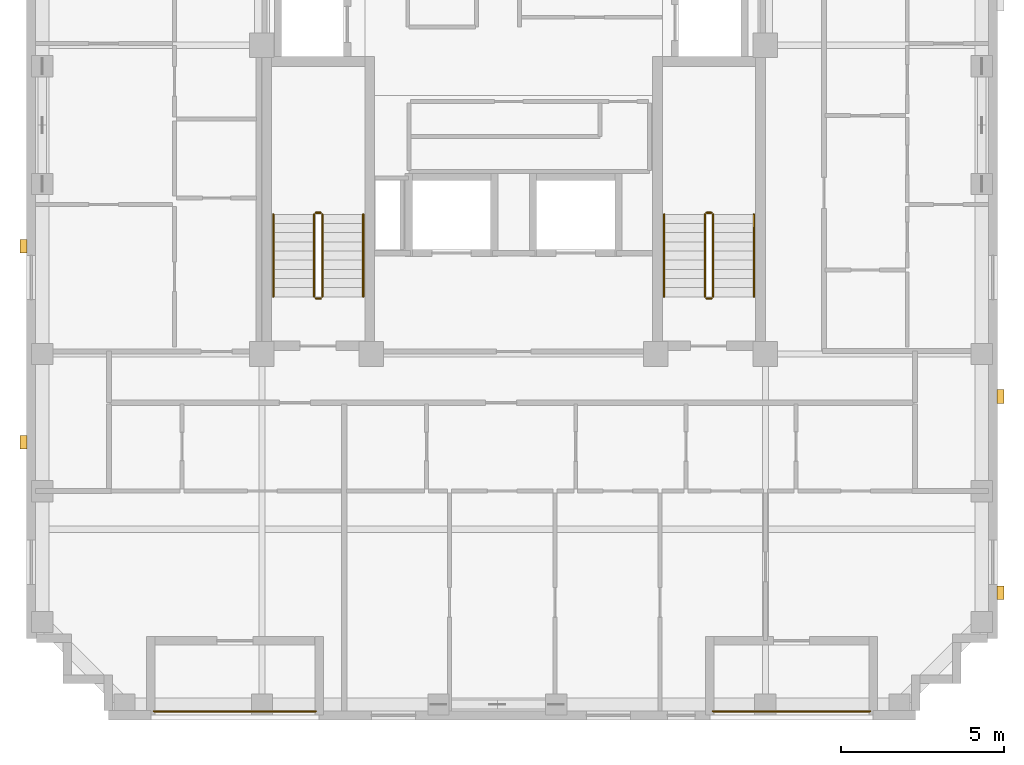
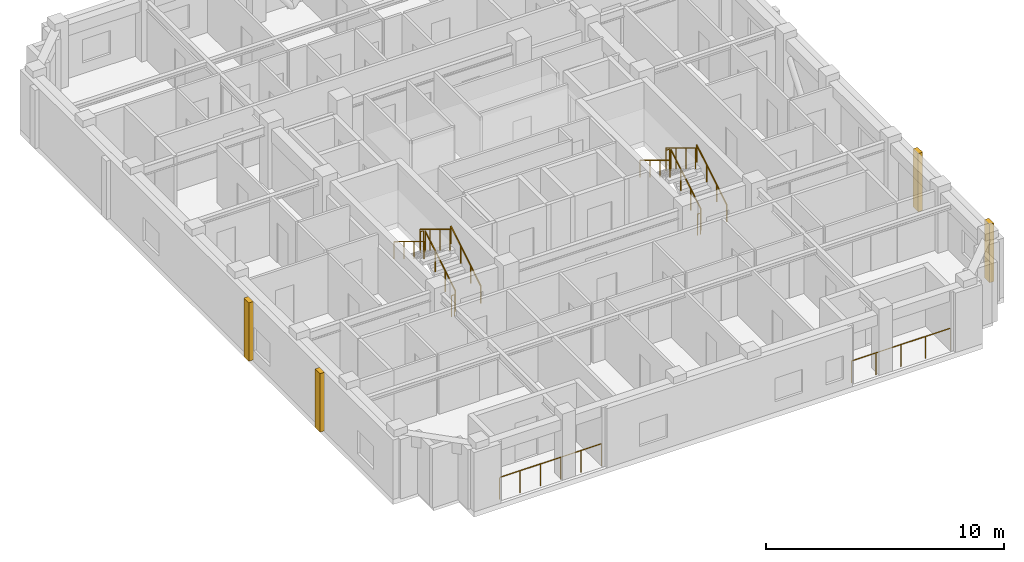
# One storey, part 10 of 11: 14 railings, 4 coverings.
"""IFC4 building model written with IfcOpenShell, lengths in metres."""

from ifc_helpers import new_model, si_unit, derived_unit, direction, frame, origin, origin_2d, place, context, subcontext, project, spatial, rectangle, circle, extrude, material, layer, layer_set, type_object, element, save


model = new_model("IFC4")

# Units and contexts
model_context = context("Model", 3, precision=1e-05, world=origin(), true_north=direction((0.0, 1.0)))
body_context = subcontext(model_context, "Body", "Model", "MODEL_VIEW")
ifc_project = project(units=[si_unit("LENGTHUNIT", "METRE"), si_unit("AREAUNIT", "SQUARE_METRE"), si_unit("VOLUMEUNIT", "CUBIC_METRE"), si_unit("PLANEANGLEUNIT", "RADIAN"), si_unit("MASSUNIT", "GRAM", prefix="KILO"), derived_unit("THERMALTRANSMITTANCEUNIT", [(si_unit("MASSUNIT", "GRAM", prefix="KILO"), 1), (si_unit("TIMEUNIT", "SECOND"), -3), (si_unit("THERMODYNAMICTEMPERATUREUNIT", "KELVIN"), -1)])], contexts=[model_context])

# Site, building, storey
site_placement = place(None, origin())
site = spatial("IfcSite", under=ifc_project, at=site_placement, CompositionType="ELEMENT")
building_placement = place(site_placement, origin())
building = spatial("IfcBuilding", under=site, at=building_placement, Name="Korrvale Station Residences", CompositionType="ELEMENT")
storey_placement = place(building_placement, frame((0.0, 0.0, 258.10009765625)))
storey = spatial("IfcBuildingStorey", under=building, at=storey_placement, Name="L75", CompositionType="ELEMENT", Elevation=258.10009765625)

# Coverings
ifc_material_1 = material(Name="Architectural precast concrete C45/55", Category="concrete")
ifc_layer = layer(ifc_material_1, 0.219970703125, Name="Architectural precast concrete C45/55")
ifc_layer_set = layer_set([ifc_layer], Name="Architectural precast concrete C45/55")
covering_type = type_object("IfcCoveringType", Name="COV-PIER-400", PredefinedType="CLADDING", material=ifc_layer_set)
for number, where, z_axis, x_axis, name in (
    (1, (10.510009765625, 12.300048828125, 0.02490234375), (0.0, 0.0, 1.0), (0.0, 1.0, 0.0), "L75 Architectural Precast Facade Pier 02"),
    (2, (10.510009765625, 18.300048828125, 0.02490234375), (0.0, 0.0, 1.0), (0.0, 1.0, 0.0), "L75 Architectural Precast Facade Pier 03"),
    (3, (40.389892578125, 13.699951171875, 0.02490234375), (0.0, 0.0, 1.0), (0.0, 1.0, 0.0), "L75 Architectural Precast Facade Pier 08"),
    (4, (40.389892578125, 7.699951171875, 0.02490234375), (0.0, 0.0, 1.0), (0.0, 1.0, 0.0), "L75 Architectural Precast Facade Pier 09"),
):
    element("IfcCovering", number, at=place(storey_placement, frame(where, z_axis=z_axis, x_axis=x_axis)), inside=storey, type_object=covering_type, Name=name, PredefinedType="CLADDING", context=body_context, shape_type="SweptSolid", body=[
        extrude(rectangle(XDim=0.419921875, YDim=0.219970703125, at=origin_2d()), origin(), (0.0, 0.0, 1.0), 3.0),
    ])

# Railings
ifc_material_2 = material(Name="Powder-coated aluminium picket loggia guard", Category="aluminium")
railing_type_1 = type_object("IfcRailingType", Name="RLG-BAL-1150", PredefinedType="GUARDRAIL", material=ifc_material_2)
railing_1_placement = place(storey_placement, frame((31.60009765625, 4.070068359375, 0.0)))
element("IfcRailing", 5, at=railing_1_placement, inside=storey, type_object=railing_type_1, Name="L75 Recessed Loggia Guardrail BAL-L75-S2", PredefinedType="GUARDRAIL", context=body_context, shape_type="SweptSolid", body=[
    extrude(circle(Radius=0.02392578125, at=origin_2d()), frame((0.0, 0.0, 1.1259765625), z_axis=(1.0, 0.0, 0.0), x_axis=(0.0, 1.0, 0.0)), (0.0, 0.0, 1.0), 4.7998046875),
    extrude(circle(Radius=0.02099609375, at=origin_2d()), origin(), (0.0, 0.0, 1.0), 1.101806640625),
    extrude(circle(Radius=0.02099609375, at=origin_2d()), frame((1.199951171875, 0.0, 0.0)), (0.0, 0.0, 1.0), 1.101806640625),
    extrude(circle(Radius=0.02099609375, at=origin_2d()), frame((2.39990234375, 0.0, 0.0)), (0.0, 0.0, 1.0), 1.101806640625),
    extrude(circle(Radius=0.02099609375, at=origin_2d()), frame((3.599853515625, 0.0, 0.0)), (0.0, 0.0, 1.0), 1.101806640625),
    extrude(circle(Radius=0.02099609375, at=origin_2d()), frame((4.7998046875, 0.0, 0.0)), (0.0, 0.0, 1.0), 1.101806640625),
])
railing_2_placement = place(storey_placement, frame((14.5, 4.070068359375, 0.0)))
element("IfcRailing", 6, at=railing_2_placement, inside=storey, type_object=railing_type_1, Name="L75 Recessed Loggia Guardrail BAL-L75-S1", PredefinedType="GUARDRAIL", context=body_context, shape_type="SweptSolid", body=[
    extrude(circle(Radius=0.02392578125, at=origin_2d()), frame((0.0, 0.0, 1.1259765625), z_axis=(1.0, 0.0, 0.0), x_axis=(0.0, 1.0, 0.0)), (0.0, 0.0, 1.0), 4.949951171875),
    extrude(circle(Radius=0.02099609375, at=origin_2d()), origin(), (0.0, 0.0, 1.0), 1.101806640625),
    extrude(circle(Radius=0.02099609375, at=origin_2d()), frame((0.989990234375, 0.0, 0.0)), (0.0, 0.0, 1.0), 1.101806640625),
    extrude(circle(Radius=0.02099609375, at=origin_2d()), frame((1.97998046875, 0.0, 0.0)), (0.0, 0.0, 1.0), 1.101806640625),
    extrude(circle(Radius=0.02099609375, at=origin_2d()), frame((2.969970703125, 0.0, 0.0)), (0.0, 0.0, 1.0), 1.101806640625),
    extrude(circle(Radius=0.02099609375, at=origin_2d()), frame((3.9599609375, 0.0, 0.0)), (0.0, 0.0, 1.0), 1.101806640625),
    extrude(circle(Radius=0.02099609375, at=origin_2d()), frame((4.949951171875, 0.0, 0.0)), (0.0, 0.0, 1.0), 1.101806640625),
])
ifc_material_3 = material(Name="Brushed stainless-steel continuous stair handrail", Category="steel")
railing_type_2 = type_object("IfcRailingType", Name="RLG-SHND-900", PredefinedType="HANDRAIL", material=ifc_material_3)
railing_3_placement = place(storey_placement, frame((20.89990234375, 16.75, 0.169921875)))
element("IfcRailing", 7, at=railing_3_placement, inside=storey, type_object=railing_type_2, Name="L75 ST-1 stair handrail 1", PredefinedType="HANDRAIL", context=body_context, shape_type="SweptSolid", body=[
    extrude(circle(Radius=0.02392578125, at=origin_2d()), frame((0.0, 0.0, 0.8759765625), z_axis=(0.0, 0.85478489116, 0.518982456201), x_axis=(-1.0, 0.0, 0.0)), (0.0, 0.0, 1.0), 2.9482421875),
    extrude(circle(Radius=0.02099609375, at=origin_2d()), origin(), (0.0, 0.0, 1.0), 0.851806640625),
    extrude(circle(Radius=0.02099609375, at=origin_2d()), frame((0.0, 0.840087890625, 0.510009765625)), (0.0, 0.0, 1.0), 0.851806640625),
    extrude(circle(Radius=0.02099609375, at=origin_2d()), frame((0.0, 1.679931640625, 1.02001953125)), (0.0, 0.0, 1.0), 0.851806640625),
    extrude(circle(Radius=0.02099609375, at=origin_2d()), frame((0.0, 2.52001953125, 1.530029296875)), (0.0, 0.0, 1.0), 0.851806640625),
])
railing_4_placement = place(storey_placement, frame((18.14990234375, 19.27001953125, 1.869873046875)))
element("IfcRailing", 8, at=railing_4_placement, inside=storey, type_object=railing_type_2, Name="L75 ST-1 stair handrail 2", PredefinedType="HANDRAIL", context=body_context, shape_type="SweptSolid", body=[
    extrude(circle(Radius=0.02392578125, at=origin_2d()), frame((0.0, 0.0, 0.8759765625), z_axis=(0.0, -0.85478489116, 0.518982456201), x_axis=(1.0, 0.0, 0.0)), (0.0, 0.0, 1.0), 2.9482421875),
    extrude(circle(Radius=0.02099609375, at=origin_2d()), origin(), (0.0, 0.0, 1.0), 0.851806640625),
    extrude(circle(Radius=0.02099609375, at=origin_2d()), frame((0.0, -0.840087890625, 0.510009765625)), (0.0, 0.0, 1.0), 0.851806640625),
    extrude(circle(Radius=0.02099609375, at=origin_2d()), frame((0.0, -1.679931640625, 1.02001953125)), (0.0, 0.0, 1.0), 0.851806640625),
    extrude(circle(Radius=0.02099609375, at=origin_2d()), frame((0.0, -2.52001953125, 1.530029296875)), (0.0, 0.0, 1.0), 0.851806640625),
])
railing_5_placement = place(storey_placement, frame((32.85009765625, 16.75, 0.169921875)))
element("IfcRailing", 9, at=railing_5_placement, inside=storey, type_object=railing_type_2, Name="L75 ST-2 stair handrail 1", PredefinedType="HANDRAIL", context=body_context, shape_type="SweptSolid", body=[
    extrude(circle(Radius=0.02392578125, at=origin_2d()), frame((0.0, 0.0, 0.8759765625), z_axis=(0.0, 0.85478489116, 0.518982456201), x_axis=(-1.0, 0.0, 0.0)), (0.0, 0.0, 1.0), 2.9482421875),
    extrude(circle(Radius=0.02099609375, at=origin_2d()), origin(), (0.0, 0.0, 1.0), 0.851806640625),
    extrude(circle(Radius=0.02099609375, at=origin_2d()), frame((0.0, 0.840087890625, 0.510009765625)), (0.0, 0.0, 1.0), 0.851806640625),
    extrude(circle(Radius=0.02099609375, at=origin_2d()), frame((0.0, 1.679931640625, 1.02001953125)), (0.0, 0.0, 1.0), 0.851806640625),
    extrude(circle(Radius=0.02099609375, at=origin_2d()), frame((0.0, 2.52001953125, 1.530029296875)), (0.0, 0.0, 1.0), 0.851806640625),
])
railing_6_placement = place(storey_placement, frame((30.10009765625, 19.27001953125, 1.869873046875)))
element("IfcRailing", 10, at=railing_6_placement, inside=storey, type_object=railing_type_2, Name="L75 ST-2 stair handrail 2", PredefinedType="HANDRAIL", context=body_context, shape_type="SweptSolid", body=[
    extrude(circle(Radius=0.02392578125, at=origin_2d()), frame((0.0, 0.0, 0.8759765625), z_axis=(0.0, -0.85478489116, 0.518982456201), x_axis=(1.0, 0.0, 0.0)), (0.0, 0.0, 1.0), 2.9482421875),
    extrude(circle(Radius=0.02099609375, at=origin_2d()), origin(), (0.0, 0.0, 1.0), 0.851806640625),
    extrude(circle(Radius=0.02099609375, at=origin_2d()), frame((0.0, -0.840087890625, 0.510009765625)), (0.0, 0.0, 1.0), 0.851806640625),
    extrude(circle(Radius=0.02099609375, at=origin_2d()), frame((0.0, -1.679931640625, 1.02001953125)), (0.0, 0.0, 1.0), 0.851806640625),
    extrude(circle(Radius=0.02099609375, at=origin_2d()), frame((0.0, -2.52001953125, 1.530029296875)), (0.0, 0.0, 1.0), 0.851806640625),
])
ifc_material_4 = material(Name="Galvanised painted tubular steel stair guard", Category="steel")
railing_type_3 = type_object("IfcRailingType", Name="RLG-STR-1100", PredefinedType="GUARDRAIL", material=ifc_material_4)
railing_7_placement = place(storey_placement, frame((19.64990234375, 16.75, 0.169921875)))
element("IfcRailing", 11, at=railing_7_placement, inside=storey, type_object=railing_type_3, Name="L75 ST-1 stair guard 1", PredefinedType="GUARDRAIL", context=body_context, shape_type="SweptSolid", body=[
    extrude(circle(Radius=0.02392578125, at=origin_2d()), frame((0.0, 0.0, 1.076171875), z_axis=(0.0, 0.85478489116, 0.518982456201), x_axis=(-1.0, 0.0, 0.0)), (0.0, 0.0, 1.0), 2.9482421875),
    extrude(circle(Radius=0.02099609375, at=origin_2d()), origin(), (0.0, 0.0, 1.0), 1.052001953125),
    extrude(circle(Radius=0.02099609375, at=origin_2d()), frame((0.0, 0.840087890625, 0.510009765625)), (0.0, 0.0, 1.0), 1.052001953125),
    extrude(circle(Radius=0.02099609375, at=origin_2d()), frame((0.0, 1.679931640625, 1.02001953125)), (0.0, 0.0, 1.0), 1.052001953125),
    extrude(circle(Radius=0.02099609375, at=origin_2d()), frame((0.0, 2.52001953125, 1.530029296875)), (0.0, 0.0, 1.0), 1.052001953125),
])
railing_8_placement = place(storey_placement, frame((19.60009765625, 19.320068359375, 1.699951171875)))
element("IfcRailing", 12, at=railing_8_placement, inside=storey, type_object=railing_type_3, Name="L75 ST-1 stair guard 2", PredefinedType="GUARDRAIL", context=body_context, shape_type="SweptSolid", body=[
    extrude(circle(Radius=0.02392578125, at=origin_2d()), frame((0.0, 0.0, 1.076171875), z_axis=(-1.0, 0.0, 0.0), x_axis=(0.0, -1.0, 0.0)), (0.0, 0.0, 1.0), 0.150146484375),
    extrude(circle(Radius=0.02099609375, at=origin_2d()), origin(), (0.0, 0.0, 1.0), 1.052001953125),
    extrude(circle(Radius=0.02099609375, at=origin_2d()), frame((-0.150146484375, 0.0, 0.0)), (0.0, 0.0, 1.0), 1.052001953125),
])
railing_9_placement = place(storey_placement, frame((19.39990234375, 19.27001953125, 1.869873046875)))
element("IfcRailing", 13, at=railing_9_placement, inside=storey, type_object=railing_type_3, Name="L75 ST-1 stair guard 3", PredefinedType="GUARDRAIL", context=body_context, shape_type="SweptSolid", body=[
    extrude(circle(Radius=0.02392578125, at=origin_2d()), frame((0.0, 0.0, 1.076171875), z_axis=(0.0, -0.85478489116, 0.518982456201), x_axis=(1.0, 0.0, 0.0)), (0.0, 0.0, 1.0), 2.9482421875),
    extrude(circle(Radius=0.02099609375, at=origin_2d()), origin(), (0.0, 0.0, 1.0), 1.052001953125),
    extrude(circle(Radius=0.02099609375, at=origin_2d()), frame((0.0, -0.840087890625, 0.510009765625)), (0.0, 0.0, 1.0), 1.052001953125),
    extrude(circle(Radius=0.02099609375, at=origin_2d()), frame((0.0, -1.679931640625, 1.02001953125)), (0.0, 0.0, 1.0), 1.052001953125),
    extrude(circle(Radius=0.02099609375, at=origin_2d()), frame((0.0, -2.52001953125, 1.530029296875)), (0.0, 0.0, 1.0), 1.052001953125),
])
railing_10_placement = place(storey_placement, frame((19.60009765625, 16.699951171875, 0.0)))
element("IfcRailing", 14, at=railing_10_placement, inside=storey, type_object=railing_type_3, Name="L75 ST-1 stair guard 4", PredefinedType="GUARDRAIL", context=body_context, shape_type="SweptSolid", body=[
    extrude(circle(Radius=0.02392578125, at=origin_2d()), frame((0.0, 0.0, 1.076171875), z_axis=(-1.0, 0.0, 0.0), x_axis=(0.0, -1.0, 0.0)), (0.0, 0.0, 1.0), 0.150146484375),
    extrude(circle(Radius=0.02099609375, at=origin_2d()), origin(), (0.0, 0.0, 1.0), 1.052001953125),
    extrude(circle(Radius=0.02099609375, at=origin_2d()), frame((-0.150146484375, 0.0, 0.0)), (0.0, 0.0, 1.0), 1.052001953125),
])
railing_11_placement = place(storey_placement, frame((31.60009765625, 16.75, 0.169921875)))
element("IfcRailing", 15, at=railing_11_placement, inside=storey, type_object=railing_type_3, Name="L75 ST-2 stair guard 1", PredefinedType="GUARDRAIL", context=body_context, shape_type="SweptSolid", body=[
    extrude(circle(Radius=0.02392578125, at=origin_2d()), frame((0.0, 0.0, 1.076171875), z_axis=(0.0, 0.85478489116, 0.518982456201), x_axis=(-1.0, 0.0, 0.0)), (0.0, 0.0, 1.0), 2.9482421875),
    extrude(circle(Radius=0.02099609375, at=origin_2d()), origin(), (0.0, 0.0, 1.0), 1.052001953125),
    extrude(circle(Radius=0.02099609375, at=origin_2d()), frame((0.0, 0.840087890625, 0.510009765625)), (0.0, 0.0, 1.0), 1.052001953125),
    extrude(circle(Radius=0.02099609375, at=origin_2d()), frame((0.0, 1.679931640625, 1.02001953125)), (0.0, 0.0, 1.0), 1.052001953125),
    extrude(circle(Radius=0.02099609375, at=origin_2d()), frame((0.0, 2.52001953125, 1.530029296875)), (0.0, 0.0, 1.0), 1.052001953125),
])
railing_12_placement = place(storey_placement, frame((31.550048828125, 19.320068359375, 1.699951171875)))
element("IfcRailing", 16, at=railing_12_placement, inside=storey, type_object=railing_type_3, Name="L75 ST-2 stair guard 2", PredefinedType="GUARDRAIL", context=body_context, shape_type="SweptSolid", body=[
    extrude(circle(Radius=0.02392578125, at=origin_2d()), frame((0.0, 0.0, 1.076171875), z_axis=(-1.0, 0.0, 0.0), x_axis=(0.0, -1.0, 0.0)), (0.0, 0.0, 1.0), 0.150146484375),
    extrude(circle(Radius=0.02099609375, at=origin_2d()), origin(), (0.0, 0.0, 1.0), 1.052001953125),
    extrude(circle(Radius=0.02099609375, at=origin_2d()), frame((-0.150146484375, 0.0, 0.0)), (0.0, 0.0, 1.0), 1.052001953125),
])
railing_13_placement = place(storey_placement, frame((31.35009765625, 19.27001953125, 1.869873046875)))
element("IfcRailing", 17, at=railing_13_placement, inside=storey, type_object=railing_type_3, Name="L75 ST-2 stair guard 3", PredefinedType="GUARDRAIL", context=body_context, shape_type="SweptSolid", body=[
    extrude(circle(Radius=0.02392578125, at=origin_2d()), frame((0.0, 0.0, 1.076171875), z_axis=(0.0, -0.85478489116, 0.518982456201), x_axis=(1.0, 0.0, 0.0)), (0.0, 0.0, 1.0), 2.9482421875),
    extrude(circle(Radius=0.02099609375, at=origin_2d()), origin(), (0.0, 0.0, 1.0), 1.052001953125),
    extrude(circle(Radius=0.02099609375, at=origin_2d()), frame((0.0, -0.840087890625, 0.510009765625)), (0.0, 0.0, 1.0), 1.052001953125),
    extrude(circle(Radius=0.02099609375, at=origin_2d()), frame((0.0, -1.679931640625, 1.02001953125)), (0.0, 0.0, 1.0), 1.052001953125),
    extrude(circle(Radius=0.02099609375, at=origin_2d()), frame((0.0, -2.52001953125, 1.530029296875)), (0.0, 0.0, 1.0), 1.052001953125),
])
railing_14_placement = place(storey_placement, frame((31.550048828125, 16.699951171875, 0.0)))
element("IfcRailing", 18, at=railing_14_placement, inside=storey, type_object=railing_type_3, Name="L75 ST-2 stair guard 4", PredefinedType="GUARDRAIL", context=body_context, shape_type="SweptSolid", body=[
    extrude(circle(Radius=0.02392578125, at=origin_2d()), frame((0.0, 0.0, 1.076171875), z_axis=(-1.0, 0.0, 0.0), x_axis=(0.0, -1.0, 0.0)), (0.0, 0.0, 1.0), 0.150146484375),
    extrude(circle(Radius=0.02099609375, at=origin_2d()), origin(), (0.0, 0.0, 1.0), 1.052001953125),
    extrude(circle(Radius=0.02099609375, at=origin_2d()), frame((-0.150146484375, 0.0, 0.0)), (0.0, 0.0, 1.0), 1.052001953125),
])

save(model, "model.ifc")
